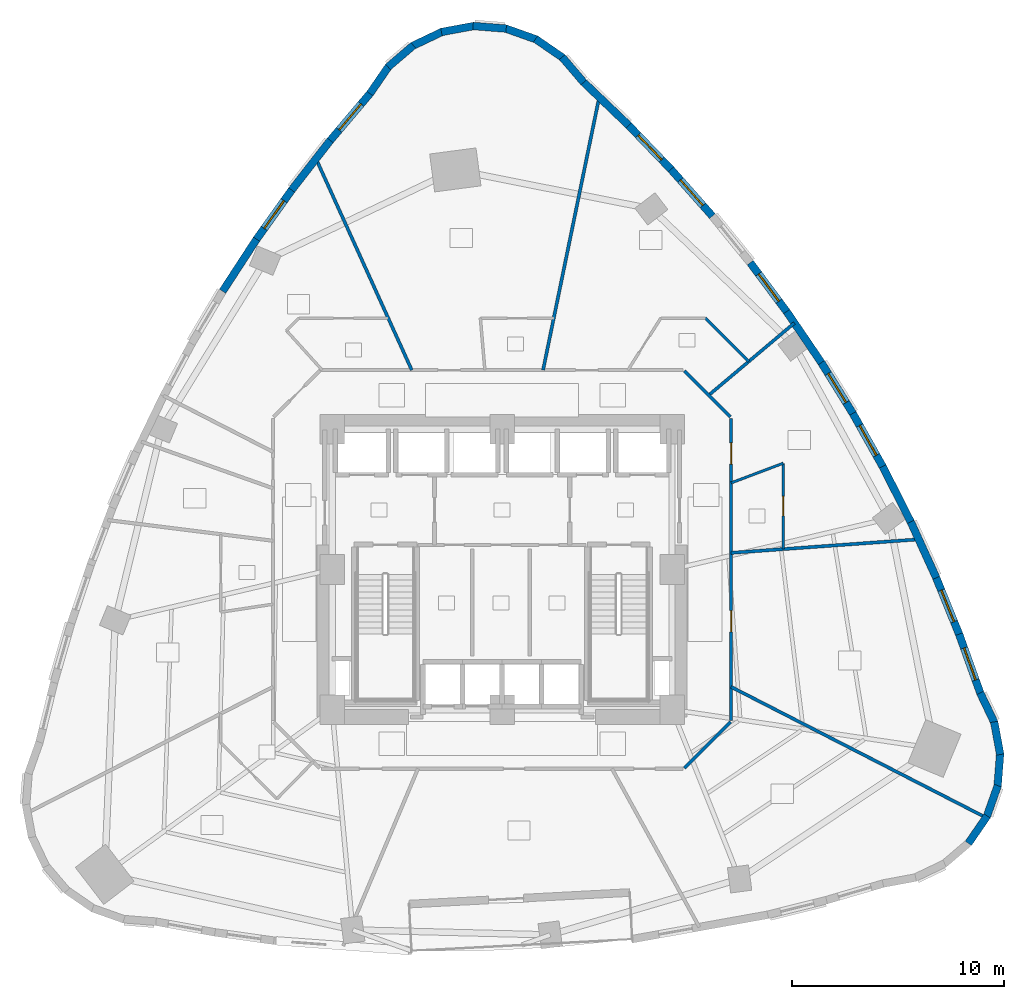
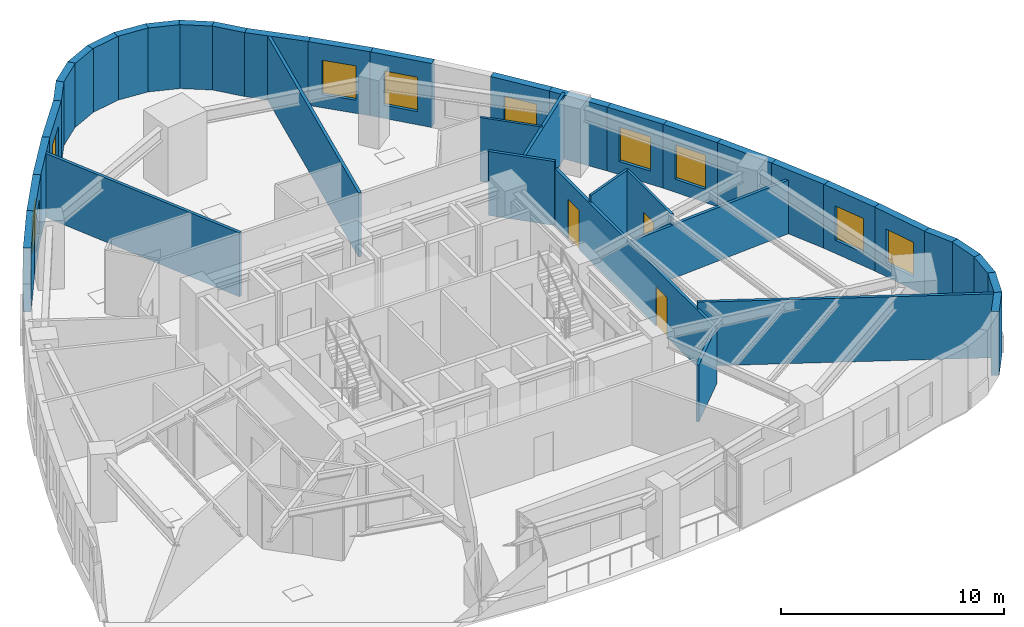
# One storey, part 7 of 11: 39 walls, 9 windows, 3 doors, 12 openings.
"""IFC4 building model written with IfcOpenShell, lengths in metres."""

from ifc_helpers import new_model, si_unit, direction, frame, frame_2d, origin, place, context, subcontext, project, spatial, rectangle, extrude, material, layer, layer_set, type_object, element, fill, save


model = new_model("IFC4")

# Units and contexts
model_context = context("Model", 3, precision=1e-05, world=origin(), true_north=direction((0.0, 1.0)))
body_context = subcontext(model_context, "Body", "Model", "MODEL_VIEW")
ifc_project = project(units=[si_unit("LENGTHUNIT", "METRE"), si_unit("AREAUNIT", "SQUARE_METRE"), si_unit("VOLUMEUNIT", "CUBIC_METRE"), si_unit("PLANEANGLEUNIT", "RADIAN"), si_unit("MASSUNIT", "GRAM", prefix="KILO")], contexts=[model_context])

# Site, building, storey
site_placement = place(None, origin())
site = spatial("IfcSite", under=ifc_project, at=site_placement, CompositionType="ELEMENT")
building_placement = place(site_placement, origin())
building = spatial("IfcBuilding", under=site, at=building_placement, Name="Ndelora Gate Hotel", CompositionType="ELEMENT")
storey_placement = place(building_placement, frame((0.0, 0.0, 45.5)))
storey = spatial("IfcBuildingStorey", under=building, at=storey_placement, Name="L10", CompositionType="ELEMENT", Elevation=45.5)

# Walls
ifc_material_1 = material(Name="Clay Brick Masonry", Category="masonry")
ifc_layer_1 = layer(ifc_material_1, 0.360107421875)
ifc_layer_set_1 = layer_set([ifc_layer_1], Name="Clay Brick Masonry")
wall_type_1 = type_object("IfcWallType", Name="WL-BRICK-360", PredefinedType="SOLIDWALL", material=ifc_layer_set_1)
wall_1_placement = place(storey_placement, frame((2.828125, 24.10986328125, 0.0), z_axis=(0.0, 0.0, 1.0), x_axis=(0.649427555808, -0.76042346739, 0.0)))
element("IfcWall", 1, at=wall_1_placement, inside=storey, type_object=wall_type_1, Name="L10 Tower Brick Pier-and-Spandrel Wall TWR-1", PredefinedType="SOLIDWALL", context=body_context, shape_type="SweptSolid", body=[
    extrude(rectangle(XDim=1.56396484375, YDim=0.360107421875, at=frame_2d((0.781982421875, 0.0))), origin(), (0.0, 0.0, 1.0), 3.5),
])
wall_2_placement = place(storey_placement, frame((1.575927734375, 24.962646484375, 0.0), z_axis=(0.0, 0.0, 1.0), x_axis=(0.824114783412, -0.56642283125, 0.0)))
element("IfcWall", 2, at=wall_2_placement, inside=storey, type_object=wall_type_1, Name="L10 Tower Brick Pier-and-Spandrel Wall TWR-2", PredefinedType="SOLIDWALL", context=body_context, shape_type="SweptSolid", body=[
    extrude(rectangle(XDim=1.564208984375, YDim=0.360107421875, at=frame_2d((0.7822265625, 0.0))), origin(), (0.0, 0.0, 1.0), 3.5),
])
wall_3_placement = place(storey_placement, frame((0.1455078125, 25.46240234375, 0.0), z_axis=(0.0, 0.0, 1.0), x_axis=(0.94263541034, -0.333824030251, 0.0)))
element("IfcWall", 3, at=wall_3_placement, inside=storey, type_object=wall_type_1, Name="L10 Tower Brick Pier-and-Spandrel Wall TWR-3", PredefinedType="SOLIDWALL", context=body_context, shape_type="SweptSolid", body=[
    extrude(rectangle(XDim=1.564453125, YDim=0.360107421875, at=frame_2d((0.7822265625, 0.0))), origin(), (0.0, 0.0, 1.0), 3.5),
])
for number, where, z_axis, x_axis, name in (
    (4, (-1.364990234375, 25.57470703125, 0.0), (0.0, 0.0, 1.0), (0.996912314432, -0.078522845938, 0.0), "L10 Tower Brick Pier-and-Spandrel Wall TWR-4"),
    (5, (-2.853515625, 25.292236328125, 0.0), (0.0, 0.0, 1.0), (0.983239538779, 0.182318428527, 0.0), "L10 Tower Brick Pier-and-Spandrel Wall TWR-5"),
):
    element("IfcWall", number, at=place(storey_placement, frame(where, z_axis=z_axis, x_axis=x_axis)), inside=storey, type_object=wall_type_1, Name=name, PredefinedType="SOLIDWALL", context=body_context, shape_type="SweptSolid", body=[
        extrude(rectangle(XDim=1.56396484375, YDim=0.360107421875, at=frame_2d((0.781982421875, 0.0))), origin(), (0.0, 0.0, 1.0), 3.5),
    ])
wall_4_placement = place(storey_placement, frame((-4.21826171875, 24.63427734375, 0.0), z_axis=(0.0, 0.0, 1.0), x_axis=(0.902606480138, 0.430466656099, 0.0)))
element("IfcWall", 6, at=wall_4_placement, inside=storey, type_object=wall_type_1, Name="L10 Tower Brick Pier-and-Spandrel Wall TWR-6", PredefinedType="SOLIDWALL", context=body_context, shape_type="SweptSolid", body=[
    extrude(rectangle(XDim=1.564208984375, YDim=0.360107421875, at=frame_2d((0.7822265625, 0.0))), origin(), (0.0, 0.0, 1.0), 3.5),
])
wall_5_placement = place(storey_placement, frame((-5.365966796875, 23.6455078125, 0.0), z_axis=(0.0, 0.0, 1.0), x_axis=(0.760489297029, 0.649350467086, 0.0)))
element("IfcWall", 7, at=wall_5_placement, inside=storey, type_object=wall_type_1, Name="L10 Tower Brick Pier-and-Spandrel Wall TWR-7", PredefinedType="SOLIDWALL", context=body_context, shape_type="SweptSolid", body=[
    extrude(rectangle(XDim=1.56396484375, YDim=0.360107421875, at=frame_2d((0.781982421875, 0.0))), origin(), (0.0, 0.0, 1.0), 3.5),
])
wall_6_placement = place(storey_placement, frame((-6.21875, 22.393310546875, 0.0), z_axis=(0.0, 0.0, 1.0), x_axis=(0.56642283125, 0.824114783412, 0.0)))
element("IfcWall", 8, at=wall_6_placement, inside=storey, type_object=wall_type_1, Name="L10 Tower Brick Pier-and-Spandrel Wall TWR-8", PredefinedType="SOLIDWALL", context=body_context, shape_type="SweptSolid", body=[
    extrude(rectangle(XDim=1.564208984375, YDim=0.360107421875, at=frame_2d((0.7822265625, 0.0))), origin(), (0.0, 0.0, 1.0), 3.5),
])

# Wall, opening, window
wall_7_placement = place(storey_placement, frame((-8.117431640625, 20.152587890625, 0.0), z_axis=(0.0, 0.0, 1.0), x_axis=(0.645802996195, 0.763504086502, 0.0)))
wall_7 = element("IfcWall", 9, at=wall_7_placement, inside=storey, type_object=wall_type_1, Name="L10 Tower Brick Pier-and-Spandrel Wall TWR-9", PredefinedType="SOLIDWALL", context=body_context, shape_type="SweptSolid", body=[
    extrude(rectangle(XDim=2.98681640625, YDim=0.360107421875, at=frame_2d((1.493408203125, 0.0))), origin(), (0.0, 0.0, 1.0), 3.5),
])
opening_1_placement = place(wall_7_placement, frame((0.693603515625, 0.0, 0.719970703125)))
opening_1 = element("IfcOpeningElement", 10, at=opening_1_placement, cuts=wall_7, Name="Opening W03", PredefinedType="OPENING", context=body_context, shape_type="SweptSolid", body=[
    extrude(rectangle(XDim=1.60009765625, YDim=1.8798828125, at=frame_2d((0.800048828125, 0.93994140625))), frame((0.0, 0.18994140625, 0.0), z_axis=(0.0, -1.0, 0.0), x_axis=(1.0, 0.0, 0.0)), (0.0, 0.0, 1.0), 0.380126953125),
])
ifc_material_2 = material(Name="Insulated Low-E Double Glazing in Bronze Aluminium Frame", Category="aluminium")
window_type_1 = type_object("IfcWindowType", Name="WN-CORN-2100", PartitioningType="SINGLE_PANEL", PredefinedType="WINDOW", material=ifc_material_2)
window_1_placement = place(opening_1_placement, origin())
window_1 = element("IfcWindow", 11, at=window_1_placement, inside=storey, type_object=window_type_1, Name="L10 Deep-Set Brick-Pier Window W03", OverallHeight=1.8798828125, OverallWidth=1.60009765625, PartitioningType="SINGLE_PANEL", PredefinedType="WINDOW", context=body_context, shape_type="SweptSolid", body=[
    extrude(rectangle(XDim=1.60009765625, YDim=1.8798828125, at=frame_2d((0.800048828125, 0.93994140625))), frame((0.0, 0.030029296875, 0.0), z_axis=(0.0, -1.0, 0.0), x_axis=(1.0, 0.0, 0.0)), (0.0, 0.0, 1.0), 0.06005859375),
])
fill(opening_1, window_1)

# Wall
wall_8_placement = place(storey_placement, frame((-9.90478515625, 17.854248046875, 0.0), z_axis=(0.0, 0.0, 1.0), x_axis=(0.614163171733, 0.789179066174, 0.0)))
element("IfcWall", 12, at=wall_8_placement, inside=storey, type_object=wall_type_1, Name="L10 Tower Brick Pier-and-Spandrel Wall TWR-10", PredefinedType="SOLIDWALL", context=body_context, shape_type="SweptSolid", body=[
    extrude(rectangle(XDim=2.96142578125, YDim=0.360107421875, at=frame_2d((1.480712890625, 0.0))), origin(), (0.0, 0.0, 1.0), 3.5),
])

# Wall, opening, window
wall_9_placement = place(storey_placement, frame((-11.5830078125, 15.500244140625, 0.0), z_axis=(0.0, 0.0, 1.0), x_axis=(0.580782634392, 0.814058678222, 0.0)))
wall_9 = element("IfcWall", 13, at=wall_9_placement, inside=storey, type_object=wall_type_1, Name="L10 Tower Brick Pier-and-Spandrel Wall TWR-11", PredefinedType="SOLIDWALL", context=body_context, shape_type="SweptSolid", body=[
    extrude(rectangle(XDim=2.94091796875, YDim=0.360107421875, at=frame_2d((1.470458984375, 0.0))), origin(), (0.0, 0.0, 1.0), 3.5),
])
opening_2_placement = place(wall_9_placement, frame((0.67041015625, 0.0, 0.719970703125)))
opening_2 = element("IfcOpeningElement", 14, at=opening_2_placement, cuts=wall_9, Name="Opening W01", PredefinedType="OPENING", context=body_context, shape_type="SweptSolid", body=[
    extrude(rectangle(XDim=1.60009765625, YDim=1.8798828125, at=frame_2d((0.800048828125, 0.93994140625))), frame((0.0, 0.18994140625, 0.0), z_axis=(0.0, -1.0, 0.0), x_axis=(1.0, 0.0, 0.0)), (0.0, 0.0, 1.0), 0.380126953125),
])
window_type_2 = type_object("IfcWindowType", Name="WN-DEEP-1600", PartitioningType="SINGLE_PANEL", PredefinedType="WINDOW", material=ifc_material_2)
window_2_placement = place(opening_2_placement, origin())
window_2 = element("IfcWindow", 15, at=window_2_placement, inside=storey, type_object=window_type_2, Name="L10 Deep-Set Brick-Pier Window W01", OverallHeight=1.8798828125, OverallWidth=1.60009765625, PartitioningType="SINGLE_PANEL", PredefinedType="WINDOW", context=body_context, shape_type="SweptSolid", body=[
    extrude(rectangle(XDim=1.60009765625, YDim=1.8798828125, at=frame_2d((0.800048828125, 0.93994140625))), frame((0.0, 0.030029296875, 0.0), z_axis=(0.0, -1.0, 0.0), x_axis=(1.0, 0.0, 0.0)), (0.0, 0.0, 1.0), 0.06005859375),
])
fill(opening_2, window_2)

# Walls
wall_10_placement = place(storey_placement, frame((-13.152587890625, 13.091064453125, 0.0), z_axis=(0.0, 0.0, 1.0), x_axis=(0.546158304601, 0.837681983998, 0.0)))
element("IfcWall", 16, at=wall_10_placement, inside=storey, type_object=wall_type_1, Name="L10 Tower Brick Pier-and-Spandrel Wall TWR-12", PredefinedType="SOLIDWALL", context=body_context, shape_type="SweptSolid", body=[
    extrude(rectangle(XDim=2.92529296875, YDim=0.360107421875, at=frame_2d((1.462646484375, 0.0))), origin(), (0.0, 0.0, 1.0), 3.5),
])
for number, where, z_axis, x_axis, name in (
    (17, (22.8310546875, -11.60498046875, 0.0), (0.0, 0.0, 1.0), (-0.56642283125, -0.824114783412, 0.0), "L10 Tower Brick Pier-and-Spandrel Wall TWR-42"),
    (18, (23.33056640625, -10.1748046875, 0.0), (0.0, 0.0, 1.0), (-0.333685345648, -0.942684512496, 0.0), "L10 Tower Brick Pier-and-Spandrel Wall TWR-43"),
    (19, (23.443115234375, -8.6640625, 0.0), (0.0, 0.0, 1.0), (-0.078510627557, -0.99691327675, 0.0), "L10 Tower Brick Pier-and-Spandrel Wall TWR-44"),
):
    element("IfcWall", number, at=place(storey_placement, frame(where, z_axis=z_axis, x_axis=x_axis)), inside=storey, type_object=wall_type_1, Name=name, PredefinedType="SOLIDWALL", context=body_context, shape_type="SweptSolid", body=[
        extrude(rectangle(XDim=1.564208984375, YDim=0.360107421875, at=frame_2d((0.7822265625, 0.0))), origin(), (0.0, 0.0, 1.0), 3.5),
    ])
wall_11_placement = place(storey_placement, frame((23.160400390625, -7.17578125, 0.0), z_axis=(0.0, 0.0, 1.0), x_axis=(0.182318428527, -0.983239538779, 0.0)))
element("IfcWall", 20, at=wall_11_placement, inside=storey, type_object=wall_type_1, Name="L10 Tower Brick Pier-and-Spandrel Wall TWR-45", PredefinedType="SOLIDWALL", context=body_context, shape_type="SweptSolid", body=[
    extrude(rectangle(XDim=1.56396484375, YDim=0.360107421875, at=frame_2d((0.781982421875, 0.0))), origin(), (0.0, 0.0, 1.0), 3.5),
])
wall_12_placement = place(storey_placement, frame((22.50244140625, -5.81103515625, 0.0), z_axis=(0.0, 0.0, 1.0), x_axis=(0.430466656099, -0.902606480138, 0.0)))
element("IfcWall", 21, at=wall_12_placement, inside=storey, type_object=wall_type_1, Name="L10 Tower Brick Pier-and-Spandrel Wall TWR-46", PredefinedType="SOLIDWALL", context=body_context, shape_type="SweptSolid", body=[
    extrude(rectangle(XDim=1.564208984375, YDim=0.360107421875, at=frame_2d((0.7822265625, 0.0))), origin(), (0.0, 0.0, 1.0), 3.5),
])

# Wall, opening, window
wall_13_placement = place(storey_placement, frame((21.511474609375, -3.04638671875, 0.0), z_axis=(0.0, 0.0, 1.0), x_axis=(0.338236051909, -0.941061301504, 0.0)))
wall_13 = element("IfcWall", 22, at=wall_13_placement, inside=storey, type_object=wall_type_1, Name="L10 Tower Brick Pier-and-Spandrel Wall TWR-47", PredefinedType="SOLIDWALL", context=body_context, shape_type="SweptSolid", body=[
    extrude(rectangle(XDim=2.98681640625, YDim=0.360107421875, at=frame_2d((1.493408203125, 0.0))), origin(), (0.0, 0.0, 1.0), 3.5),
])
opening_3_placement = place(wall_13_placement, frame((0.693603515625, 0.0, 0.719970703125)))
opening_3 = element("IfcOpeningElement", 23, at=opening_3_placement, cuts=wall_13, Name="Opening W01", PredefinedType="OPENING", context=body_context, shape_type="SweptSolid", body=[
    extrude(rectangle(XDim=1.60009765625, YDim=1.8798828125, at=frame_2d((0.800048828125, 0.93994140625))), frame((0.0, 0.18994140625, 0.0), z_axis=(0.0, -1.0, 0.0), x_axis=(1.0, 0.0, 0.0)), (0.0, 0.0, 1.0), 0.380126953125),
])
window_3_placement = place(opening_3_placement, origin())
window_3 = element("IfcWindow", 24, at=window_3_placement, inside=storey, type_object=window_type_2, Name="L10 Deep-Set Brick-Pier Window W01", OverallHeight=1.8798828125, OverallWidth=1.60009765625, PartitioningType="SINGLE_PANEL", PredefinedType="WINDOW", context=body_context, shape_type="SweptSolid", body=[
    extrude(rectangle(XDim=1.60009765625, YDim=1.8798828125, at=frame_2d((0.800048828125, 0.93994140625))), frame((0.0, 0.030029296875, 0.0), z_axis=(0.0, -1.0, 0.0), x_axis=(1.0, 0.0, 0.0)), (0.0, 0.0, 1.0), 0.06005859375),
])
fill(opening_3, window_3)

wall_14_placement = place(storey_placement, frame((20.41455078125, -0.349365234375, 0.0), z_axis=(0.0, 0.0, 1.0), x_axis=(0.376416849552, -0.926450406322, 0.0)))
wall_14 = element("IfcWall", 25, at=wall_14_placement, inside=storey, type_object=wall_type_1, Name="L10 Tower Brick Pier-and-Spandrel Wall TWR-48", PredefinedType="SOLIDWALL", context=body_context, shape_type="SweptSolid", body=[
    extrude(rectangle(XDim=2.96142578125, YDim=0.360107421875, at=frame_2d((1.480712890625, 0.0))), origin(), (0.0, 0.0, 1.0), 3.5),
])
opening_4_placement = place(wall_14_placement, frame((0.6806640625, 0.0, 0.719970703125)))
opening_4 = element("IfcOpeningElement", 26, at=opening_4_placement, cuts=wall_14, Name="Opening W01", PredefinedType="OPENING", context=body_context, shape_type="SweptSolid", body=[
    extrude(rectangle(XDim=1.60009765625, YDim=1.8798828125, at=frame_2d((0.800048828125, 0.93994140625))), frame((0.0, 0.18994140625, 0.0), z_axis=(0.0, -1.0, 0.0), x_axis=(1.0, 0.0, 0.0)), (0.0, 0.0, 1.0), 0.380126953125),
])
window_4_placement = place(opening_4_placement, origin())
window_4 = element("IfcWindow", 27, at=window_4_placement, inside=storey, type_object=window_type_2, Name="L10 Deep-Set Brick-Pier Window W01", OverallHeight=1.8798828125, OverallWidth=1.60009765625, PartitioningType="SINGLE_PANEL", PredefinedType="WINDOW", context=body_context, shape_type="SweptSolid", body=[
    extrude(rectangle(XDim=1.60009765625, YDim=1.8798828125, at=frame_2d((0.800048828125, 0.93994140625))), frame((0.0, 0.030029296875, 0.0), z_axis=(0.0, -1.0, 0.0), x_axis=(1.0, 0.0, 0.0)), (0.0, 0.0, 1.0), 0.06005859375),
])
fill(opening_4, window_4)

# Walls
wall_15_placement = place(storey_placement, frame((19.215087890625, 2.281005859375, 0.0), z_axis=(0.0, 0.0, 1.0), x_axis=(0.414578361646, -0.910013616412, 0.0)))
element("IfcWall", 28, at=wall_15_placement, inside=storey, type_object=wall_type_1, Name="L10 Tower Brick Pier-and-Spandrel Wall TWR-49", PredefinedType="SOLIDWALL", context=body_context, shape_type="SweptSolid", body=[
    extrude(rectangle(XDim=2.94091796875, YDim=0.360107421875, at=frame_2d((1.470458984375, 0.0))), origin(), (0.0, 0.0, 1.0), 3.5),
])
wall_16_placement = place(storey_placement, frame((17.91357421875, 4.8447265625, 0.0), z_axis=(0.0, 0.0, 1.0), x_axis=(0.452380947907, -0.891824802285, 0.0)))
element("IfcWall", 29, at=wall_16_placement, inside=storey, type_object=wall_type_1, Name="L10 Tower Brick Pier-and-Spandrel Wall TWR-50", PredefinedType="SOLIDWALL", context=body_context, shape_type="SweptSolid", body=[
    extrude(rectangle(XDim=2.925048828125, YDim=0.360107421875, at=frame_2d((1.46240234375, 0.0))), origin(), (0.0, 0.0, 1.0), 3.5),
])

# Wall, opening, window
wall_17_placement = place(storey_placement, frame((16.50927734375, 7.341796875, 0.0), z_axis=(0.0, 0.0, 1.0), x_axis=(0.489847587765, -0.871808087116, 0.0)))
wall_17 = element("IfcWall", 30, at=wall_17_placement, inside=storey, type_object=wall_type_1, Name="L10 Tower Brick Pier-and-Spandrel Wall TWR-51", PredefinedType="SOLIDWALL", context=body_context, shape_type="SweptSolid", body=[
    extrude(rectangle(XDim=2.91455078125, YDim=0.360107421875, at=frame_2d((1.457275390625, 0.0))), origin(), (0.0, 0.0, 1.0), 3.5),
])
opening_5_placement = place(wall_17_placement, frame((0.657470703125, 0.0, 0.719970703125)))
opening_5 = element("IfcOpeningElement", 31, at=opening_5_placement, cuts=wall_17, Name="Opening W01", PredefinedType="OPENING", context=body_context, shape_type="SweptSolid", body=[
    extrude(rectangle(XDim=1.60009765625, YDim=1.8798828125, at=frame_2d((0.800048828125, 0.93994140625))), frame((0.0, 0.18994140625, 0.0), z_axis=(0.0, -1.0, 0.0), x_axis=(1.0, 0.0, 0.0)), (0.0, 0.0, 1.0), 0.380126953125),
])
window_5_placement = place(opening_5_placement, origin())
window_5 = element("IfcWindow", 32, at=window_5_placement, inside=storey, type_object=window_type_2, Name="L10 Deep-Set Brick-Pier Window W01", OverallHeight=1.8798828125, OverallWidth=1.60009765625, PartitioningType="SINGLE_PANEL", PredefinedType="WINDOW", context=body_context, shape_type="SweptSolid", body=[
    extrude(rectangle(XDim=1.60009765625, YDim=1.8798828125, at=frame_2d((0.800048828125, 0.93994140625))), frame((0.0, 0.030029296875, 0.0), z_axis=(0.0, -1.0, 0.0), x_axis=(1.0, 0.0, 0.0)), (0.0, 0.0, 1.0), 0.06005859375),
])
fill(opening_5, window_5)

wall_18_placement = place(storey_placement, frame((15.002197265625, 9.7724609375, 0.0), z_axis=(0.0, 0.0, 1.0), x_axis=(0.526646311391, -0.850084503269, 0.0)))
wall_18 = element("IfcWall", 33, at=wall_18_placement, inside=storey, type_object=wall_type_1, Name="L10 Tower Brick Pier-and-Spandrel Wall TWR-52", PredefinedType="SOLIDWALL", context=body_context, shape_type="SweptSolid", body=[
    extrude(rectangle(XDim=2.909912109375, YDim=0.360107421875, at=frame_2d((1.455078125, 0.0))), origin(), (0.0, 0.0, 1.0), 3.5),
])
opening_6_placement = place(wall_18_placement, frame((0.65478515625, 0.0, 0.719970703125)))
opening_6 = element("IfcOpeningElement", 34, at=opening_6_placement, cuts=wall_18, Name="Opening W01", PredefinedType="OPENING", context=body_context, shape_type="SweptSolid", body=[
    extrude(rectangle(XDim=1.60009765625, YDim=1.8798828125, at=frame_2d((0.800048828125, 0.93994140625))), frame((0.0, 0.18994140625, 0.0), z_axis=(0.0, -1.0, 0.0), x_axis=(1.0, 0.0, 0.0)), (0.0, 0.0, 1.0), 0.380126953125),
])
window_6_placement = place(opening_6_placement, origin())
window_6 = element("IfcWindow", 35, at=window_6_placement, inside=storey, type_object=window_type_2, Name="L10 Deep-Set Brick-Pier Window W01", OverallHeight=1.8798828125, OverallWidth=1.60009765625, PartitioningType="SINGLE_PANEL", PredefinedType="WINDOW", context=body_context, shape_type="SweptSolid", body=[
    extrude(rectangle(XDim=1.60009765625, YDim=1.8798828125, at=frame_2d((0.800048828125, 0.93994140625))), frame((0.0, 0.030029296875, 0.0), z_axis=(0.0, -1.0, 0.0), x_axis=(1.0, 0.0, 0.0)), (0.0, 0.0, 1.0), 0.06005859375),
])
fill(opening_6, window_6)

# Wall
wall_19_placement = place(storey_placement, frame((13.39306640625, 12.136474609375, 0.0), z_axis=(0.0, 0.0, 1.0), x_axis=(0.562401815537, -0.82686407461, 0.0)))
element("IfcWall", 36, at=wall_19_placement, inside=storey, type_object=wall_type_1, Name="L10 Tower Brick Pier-and-Spandrel Wall TWR-53", PredefinedType="SOLIDWALL", context=body_context, shape_type="SweptSolid", body=[
    extrude(rectangle(XDim=2.909912109375, YDim=0.360107421875, at=frame_2d((1.455078125, 0.0))), origin(), (0.0, 0.0, 1.0), 3.5),
])

# Wall, opening, window
wall_20_placement = place(storey_placement, frame((11.681396484375, 14.43359375, 0.0), z_axis=(0.0, 0.0, 1.0), x_axis=(0.597208824727, -0.802085793209, 0.0)))
wall_20 = element("IfcWall", 37, at=wall_20_placement, inside=storey, type_object=wall_type_1, Name="L10 Tower Brick Pier-and-Spandrel Wall TWR-54", PredefinedType="SOLIDWALL", context=body_context, shape_type="SweptSolid", body=[
    extrude(rectangle(XDim=2.914794921875, YDim=0.360107421875, at=frame_2d((1.45751953125, 0.0))), origin(), (0.0, 0.0, 1.0), 3.5),
])
opening_7_placement = place(wall_20_placement, frame((0.657470703125, 0.0, 0.719970703125)))
opening_7 = element("IfcOpeningElement", 38, at=opening_7_placement, cuts=wall_20, Name="Opening W01", PredefinedType="OPENING", context=body_context, shape_type="SweptSolid", body=[
    extrude(rectangle(XDim=1.60009765625, YDim=1.8798828125, at=frame_2d((0.800048828125, 0.93994140625))), frame((0.0, 0.18994140625, 0.0), z_axis=(0.0, -1.0, 0.0), x_axis=(1.0, 0.0, 0.0)), (0.0, 0.0, 1.0), 0.380126953125),
])
window_7_placement = place(opening_7_placement, origin())
window_7 = element("IfcWindow", 39, at=window_7_placement, inside=storey, type_object=window_type_2, Name="L10 Deep-Set Brick-Pier Window W01", OverallHeight=1.8798828125, OverallWidth=1.60009765625, PartitioningType="SINGLE_PANEL", PredefinedType="WINDOW", context=body_context, shape_type="SweptSolid", body=[
    extrude(rectangle(XDim=1.60009765625, YDim=1.8798828125, at=frame_2d((0.800048828125, 0.93994140625))), frame((0.0, 0.030029296875, 0.0), z_axis=(0.0, -1.0, 0.0), x_axis=(1.0, 0.0, 0.0)), (0.0, 0.0, 1.0), 0.06005859375),
])
fill(opening_7, window_7)

wall_21_placement = place(storey_placement, frame((7.9501953125, 18.828369140625, 0.0), z_axis=(0.0, 0.0, 1.0), x_axis=(0.662795962661, -0.748800047997, 0.0)))
wall_21 = element("IfcWall", 40, at=wall_21_placement, inside=storey, type_object=wall_type_1, Name="L10 Tower Brick Pier-and-Spandrel Wall TWR-56", PredefinedType="SOLIDWALL", context=body_context, shape_type="SweptSolid", body=[
    extrude(rectangle(XDim=2.94091796875, YDim=0.360107421875, at=frame_2d((1.470458984375, 0.0))), origin(), (0.0, 0.0, 1.0), 3.5),
])
opening_8_placement = place(wall_21_placement, frame((0.67041015625, 0.0, 0.719970703125)))
opening_8 = element("IfcOpeningElement", 41, at=opening_8_placement, cuts=wall_21, Name="Opening W01", PredefinedType="OPENING", context=body_context, shape_type="SweptSolid", body=[
    extrude(rectangle(XDim=1.60009765625, YDim=1.8798828125, at=frame_2d((0.800048828125, 0.93994140625))), frame((0.0, 0.18994140625, 0.0), z_axis=(0.0, -1.0, 0.0), x_axis=(1.0, 0.0, 0.0)), (0.0, 0.0, 1.0), 0.380126953125),
])
window_8_placement = place(opening_8_placement, origin())
window_8 = element("IfcWindow", 42, at=window_8_placement, inside=storey, type_object=window_type_2, Name="L10 Deep-Set Brick-Pier Window W01", OverallHeight=1.8798828125, OverallWidth=1.60009765625, PartitioningType="SINGLE_PANEL", PredefinedType="WINDOW", context=body_context, shape_type="SweptSolid", body=[
    extrude(rectangle(XDim=1.60009765625, YDim=1.8798828125, at=frame_2d((0.800048828125, 0.93994140625))), frame((0.0, 0.030029296875, 0.0), z_axis=(0.0, -1.0, 0.0), x_axis=(1.0, 0.0, 0.0)), (0.0, 0.0, 1.0), 0.06005859375),
])
fill(opening_8, window_8)

wall_22_placement = place(storey_placement, frame((5.93115234375, 20.926025390625, 0.0), z_axis=(0.0, 0.0, 1.0), x_axis=(0.693247098046, -0.720699979916, 0.0)))
wall_22 = element("IfcWall", 43, at=wall_22_placement, inside=storey, type_object=wall_type_1, Name="L10 Tower Brick Pier-and-Spandrel Wall TWR-57", PredefinedType="SOLIDWALL", context=body_context, shape_type="SweptSolid", body=[
    extrude(rectangle(XDim=2.96142578125, YDim=0.360107421875, at=frame_2d((1.480712890625, 0.0))), origin(), (0.0, 0.0, 1.0), 3.5),
])
opening_9_placement = place(wall_22_placement, frame((0.6806640625, 0.0, 0.719970703125)))
opening_9 = element("IfcOpeningElement", 44, at=opening_9_placement, cuts=wall_22, Name="Opening W03", PredefinedType="OPENING", context=body_context, shape_type="SweptSolid", body=[
    extrude(rectangle(XDim=1.60009765625, YDim=1.8798828125, at=frame_2d((0.800048828125, 0.93994140625))), frame((0.0, 0.18994140625, 0.0), z_axis=(0.0, -1.0, 0.0), x_axis=(1.0, 0.0, 0.0)), (0.0, 0.0, 1.0), 0.380126953125),
])
window_9_placement = place(opening_9_placement, origin())
window_9 = element("IfcWindow", 45, at=window_9_placement, inside=storey, type_object=window_type_1, Name="L10 Deep-Set Brick-Pier Window W03", OverallHeight=1.8798828125, OverallWidth=1.60009765625, PartitioningType="SINGLE_PANEL", PredefinedType="WINDOW", context=body_context, shape_type="SweptSolid", body=[
    extrude(rectangle(XDim=1.60009765625, YDim=1.8798828125, at=frame_2d((0.800048828125, 0.93994140625))), frame((0.0, 0.030029296875, 0.0), z_axis=(0.0, -1.0, 0.0), x_axis=(1.0, 0.0, 0.0)), (0.0, 0.0, 1.0), 0.06005859375),
])
fill(opening_9, window_9)

# Walls
wall_23_placement = place(storey_placement, frame((3.8095703125, 22.956787109375, 0.0), z_axis=(0.0, 0.0, 1.0), x_axis=(0.722146408361, -0.691740243799, 0.0)))
element("IfcWall", 46, at=wall_23_placement, inside=storey, type_object=wall_type_1, Name="L10 Tower Brick Pier-and-Spandrel Wall TWR-58", PredefinedType="SOLIDWALL", context=body_context, shape_type="SweptSolid", body=[
    extrude(rectangle(XDim=2.98681640625, YDim=0.360107421875, at=frame_2d((1.493408203125, 0.0))), origin(), (0.0, 0.0, 1.0), 3.5),
])
ifc_material_3 = material(Name="Fire-Rated Gypsum Stud Partition", Category="gypsum")
ifc_layer_2 = layer(ifc_material_3, 0.14990234375)
ifc_layer_set_2 = layer_set([ifc_layer_2], Name="Fire-Rated Gypsum Stud Partition")
wall_type_2 = type_object("IfcWallType", Name="WL-PART-150", PredefinedType="PARTITIONING", material=ifc_layer_set_2)
wall_24_placement = place(storey_placement, frame((10.751708984375, -7.17822265625, 0.0), z_axis=(0.0, 0.0, 1.0), x_axis=(-0.707067066127, -0.707146494016, 0.0)))
element("IfcWall", 47, at=wall_24_placement, inside=storey, type_object=wall_type_2, Name="L10 Interior Wall IW-5", PredefinedType="PARTITIONING", context=body_context, shape_type="SweptSolid", body=[
    extrude(rectangle(XDim=3.07373046875, YDim=0.14990234375, at=frame_2d((1.536865234375, 0.0))), origin(), (0.0, 0.0, 1.0), 3.1201171875),
])

# Wall, openings, doors
wall_25_placement = place(storey_placement, frame((10.780029296875, 7.110107421875, 0.0), z_axis=(0.0, 0.0, 1.0), x_axis=(0.0, -1.0, 0.0)))
wall_25 = element("IfcWall", 48, at=wall_25_placement, inside=storey, type_object=wall_type_2, Name="L10 Interior Wall IW-5", PredefinedType="PARTITIONING", context=body_context, shape_type="SweptSolid", body=[
    extrude(rectangle(XDim=14.22021484375, YDim=0.14990234375, at=frame_2d((7.110107421875, 0.0))), origin(), (0.0, 0.0, 1.0), 3.1201171875),
])
opening_10_placement = place(wall_25_placement, frame((1.1591796875, 0.0, 0.0)))
opening_10 = element("IfcOpeningElement", 49, at=opening_10_placement, cuts=wall_25, Name="Opening D01", PredefinedType="OPENING", context=body_context, shape_type="SweptSolid", body=[
    extrude(rectangle(XDim=1.0, YDim=2.14990234375, at=frame_2d((0.5, 1.074951171875))), frame((0.0, 0.0849609375, 0.0), z_axis=(0.0, -1.0, 0.0), x_axis=(1.0, 0.0, 0.0)), (0.0, 0.0, 1.0), 0.169921875),
])
opening_11_placement = place(wall_25_placement, frame((9.045654296875, 0.0, 0.0)))
opening_11 = element("IfcOpeningElement", 50, at=opening_11_placement, cuts=wall_25, Name="Opening D01", PredefinedType="OPENING", context=body_context, shape_type="SweptSolid", body=[
    extrude(rectangle(XDim=1.0, YDim=2.14990234375, at=frame_2d((0.5, 1.074951171875))), frame((0.0, 0.0849609375, 0.0), z_axis=(0.0, -1.0, 0.0), x_axis=(1.0, 0.0, 0.0)), (0.0, 0.0, 1.0), 0.169921875),
])
ifc_material_4 = material(Name="Acoustic Hardwood Guest Entrance Door", Category="wood")
door_type_1 = type_object("IfcDoorType", Name="DR-COR-1000", OperationType="SINGLE_SWING_LEFT", PredefinedType="DOOR", material=ifc_material_4)
door_1_placement = place(opening_10_placement, origin())
door_1 = element("IfcDoor", 51, at=door_1_placement, inside=storey, type_object=door_type_1, Name="L10 Twin Guest Room 1303 Entrance Door", OperationType="SINGLE_SWING_RIGHT", OverallHeight=2.14990234375, OverallWidth=1.0, PredefinedType="DOOR", context=body_context, shape_type="SweptSolid", body=[
    extrude(rectangle(XDim=1.0, YDim=2.14990234375, at=frame_2d((0.5, 1.074951171875))), frame((0.0, 0.02490234375, 0.0), z_axis=(0.0, -1.0, 0.0), x_axis=(1.0, 0.0, 0.0)), (0.0, 0.0, 1.0), 0.050048828125),
])
fill(opening_10, door_1)
door_2_placement = place(opening_11_placement, origin())
door_2 = element("IfcDoor", 52, at=door_2_placement, inside=storey, type_object=door_type_1, Name="L10 Reading Library Room Entrance Door", OperationType="SINGLE_SWING_RIGHT", OverallHeight=2.14990234375, OverallWidth=1.0, PredefinedType="DOOR", context=body_context, shape_type="SweptSolid", body=[
    extrude(rectangle(XDim=1.0, YDim=2.14990234375, at=frame_2d((0.5, 1.074951171875))), frame((0.0, 0.02490234375, 0.0), z_axis=(0.0, -1.0, 0.0), x_axis=(1.0, 0.0, 0.0)), (0.0, 0.0, 1.0), 0.050048828125),
])
fill(opening_11, door_2)

# Walls
wall_26_placement = place(storey_placement, frame((8.578369140625, 9.351806640625, 0.0), z_axis=(0.0, 0.0, 1.0), x_axis=(0.707067066127, -0.707146494016, 0.0)))
element("IfcWall", 53, at=wall_26_placement, inside=storey, type_object=wall_type_2, Name="L10 Interior Wall IW-5", PredefinedType="PARTITIONING", context=body_context, shape_type="SweptSolid", body=[
    extrude(rectangle(XDim=3.07373046875, YDim=0.14990234375, at=frame_2d((1.536865234375, 0.0))), origin(), (0.0, 0.0, 1.0), 3.5),
])
wall_27_placement = place(storey_placement, frame((10.780029296875, -5.529541015625, 0.0), z_axis=(0.0, 0.0, 1.0), x_axis=(0.889773346048, -0.456402665048, 0.0)))
element("IfcWall", 54, at=wall_27_placement, inside=storey, type_object=wall_type_2, Name="L10 Interior Wall IW-5", PredefinedType="PARTITIONING", context=body_context, shape_type="SweptSolid", body=[
    extrude(rectangle(XDim=13.4833984375, YDim=0.14990234375, at=frame_2d((6.74169921875, 0.0))), origin(), (0.0, 0.0, 1.0), 3.5),
])
wall_28_placement = place(storey_placement, frame((10.780029296875, 0.77734375, 0.0), z_axis=(0.0, 0.0, 1.0), x_axis=(0.997408338359, 0.071948638431, 0.0)))
element("IfcWall", 55, at=wall_28_placement, inside=storey, type_object=wall_type_2, Name="L10 Interior Wall IW-5", PredefinedType="PARTITIONING", context=body_context, shape_type="SweptSolid", body=[
    extrude(rectangle(XDim=8.85302734375, YDim=0.14990234375, at=frame_2d((4.426513671875, 0.0))), origin(), (0.0, 0.0, 1.0), 2.929931640625),
])
wall_29_placement = place(storey_placement, frame((9.7294921875, 8.200439453125, 0.0), z_axis=(0.0, 0.0, 1.0), x_axis=(0.764648079626, 0.644448069532, 0.0)))
element("IfcWall", 56, at=wall_29_placement, inside=storey, type_object=wall_type_2, Name="L10 Interior Wall IW-5", PredefinedType="PARTITIONING", context=body_context, shape_type="SweptSolid", body=[
    extrude(rectangle(XDim=5.270751953125, YDim=0.14990234375, at=frame_2d((2.63525390625, 0.0))), origin(), (0.0, 0.0, 1.0), 3.5),
])
wall_30_placement = place(storey_placement, frame((1.9296875, 9.3798828125, 0.0), z_axis=(0.0, 0.0, 1.0), x_axis=(0.201507952768, 0.979486878407, 0.0)))
element("IfcWall", 57, at=wall_30_placement, inside=storey, type_object=wall_type_2, Name="L10 Interior Wall IW-5", PredefinedType="PARTITIONING", context=body_context, shape_type="SweptSolid", body=[
    extrude(rectangle(XDim=13.115234375, YDim=0.14990234375, at=frame_2d((6.5576171875, 0.0))), origin(), (0.0, 0.0, 1.0), 3.5),
])
wall_31_placement = place(storey_placement, frame((-4.25, 9.3798828125, 0.0), z_axis=(0.0, 0.0, 1.0), x_axis=(-0.412704587387, 0.910864931562, 0.0)))
element("IfcWall", 58, at=wall_31_placement, inside=storey, type_object=wall_type_2, Name="L10 Interior Wall IW-5", PredefinedType="PARTITIONING", context=body_context, shape_type="SweptSolid", body=[
    extrude(rectangle(XDim=10.922119140625, YDim=0.14990234375, at=frame_2d((5.4609375, 0.0))), origin(), (0.0, 0.0, 1.0), 3.5),
])
ifc_material_5 = material(Name="Moisture-Resistant Bathroom Tile Partition", Category="gypsum")
ifc_layer_3 = layer(ifc_material_5, 0.1201171875)
ifc_layer_set_3 = layer_set([ifc_layer_3], Name="Moisture-Resistant Bathroom Tile Partition")
wall_type_3 = type_object("IfcWallType", Name="WL-WET-120", PredefinedType="PARTITIONING", material=ifc_layer_set_3)
wall_32_placement = place(storey_placement, frame((10.780029296875, 4.0703125, 0.0), z_axis=(0.0, 0.0, 1.0), x_axis=(0.935564526292, 0.353155797269, 0.0)))
element("IfcWall", 59, at=wall_32_placement, inside=storey, type_object=wall_type_3, Name="L10 Interior Wall IW-7", PredefinedType="PARTITIONING", context=body_context, shape_type="SweptSolid", body=[
    extrude(rectangle(XDim=2.61865234375, YDim=0.1201171875, at=frame_2d((1.309326171875, 0.0))), origin(), (0.0, 0.0, 1.0), 3.5),
])

# Wall, opening, door
wall_33_placement = place(storey_placement, frame((13.22998046875, 4.9951171875, 0.0), z_axis=(0.0, 0.0, 1.0), x_axis=(0.0, -1.0, 0.0)))
wall_33 = element("IfcWall", 60, at=wall_33_placement, inside=storey, type_object=wall_type_3, Name="L10 Interior Wall IW-7", PredefinedType="PARTITIONING", context=body_context, shape_type="SweptSolid", body=[
    extrude(rectangle(XDim=4.041015625, YDim=0.1201171875, at=frame_2d((2.0205078125, 0.0))), origin(), (0.0, 0.0, 1.0), 3.5),
])
opening_12_placement = place(wall_33_placement, frame((1.560546875, 0.0, 0.0)))
opening_12 = element("IfcOpeningElement", 61, at=opening_12_placement, cuts=wall_33, Name="Opening D03", PredefinedType="OPENING", context=body_context, shape_type="SweptSolid", body=[
    extrude(rectangle(XDim=0.919921875, YDim=2.10009765625, at=frame_2d((0.4599609375, 1.050048828125))), frame((0.0, 0.070068359375, 0.0), z_axis=(0.0, -1.0, 0.0), x_axis=(1.0, 0.0, 0.0)), (0.0, 0.0, 1.0), 0.14013671875),
])
ifc_material_6 = material(Name="Moisture-Resistant Hardwood En-Suite Door", Category="wood")
door_type_2 = type_object("IfcDoorType", Name="DR-BATH-920", OperationType="SINGLE_SWING_LEFT", PredefinedType="DOOR", material=ifc_material_6)
door_3_placement = place(opening_12_placement, origin())
door_3 = element("IfcDoor", 62, at=door_3_placement, inside=storey, type_object=door_type_2, Name="L10 En-suite Bathroom 1303 Door", OperationType="SINGLE_SWING_RIGHT", OverallHeight=2.10009765625, OverallWidth=0.919921875, PredefinedType="DOOR", context=body_context, shape_type="SweptSolid", body=[
    extrude(rectangle(XDim=0.919921875, YDim=2.10009765625, at=frame_2d((0.4599609375, 1.050048828125))), frame((0.0, 0.02490234375, 0.0), z_axis=(0.0, -1.0, 0.0), x_axis=(1.0, 0.0, 0.0)), (0.0, 0.0, 1.0), 0.050048828125),
])
fill(opening_12, door_3)

# Wall
wall_34_placement = place(storey_placement, frame((11.60986328125, 9.784912109375, 0.0), z_axis=(0.0, 0.0, 1.0), x_axis=(-0.707106781187, 0.707106781187, 0.0)))
element("IfcWall", 63, at=wall_34_placement, inside=storey, type_object=wall_type_3, Name="L10 Interior Wall IW-7", PredefinedType="PARTITIONING", context=body_context, shape_type="SweptSolid", body=[
    extrude(rectangle(XDim=2.892333984375, YDim=0.1201171875, at=frame_2d((1.4462890625, 0.0))), origin(), (0.0, 0.0, 1.0), 3.5),
])

save(model, "model.ifc")
